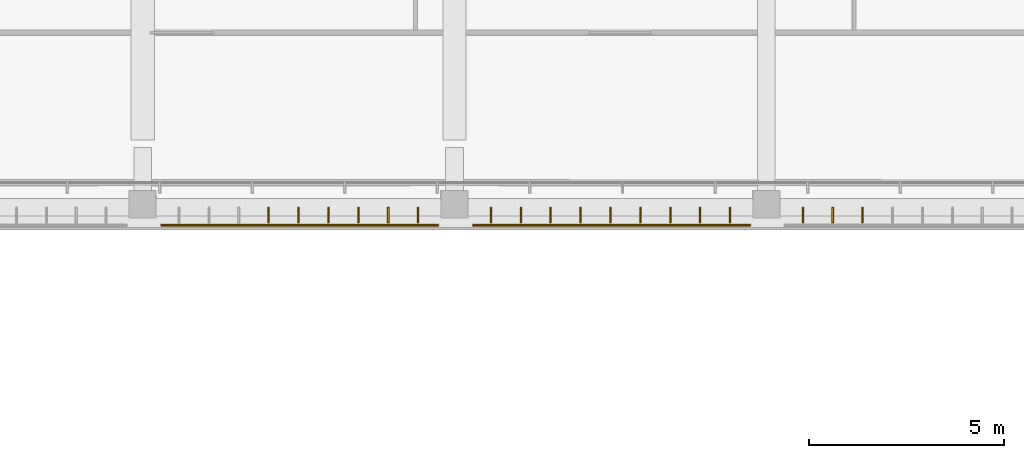
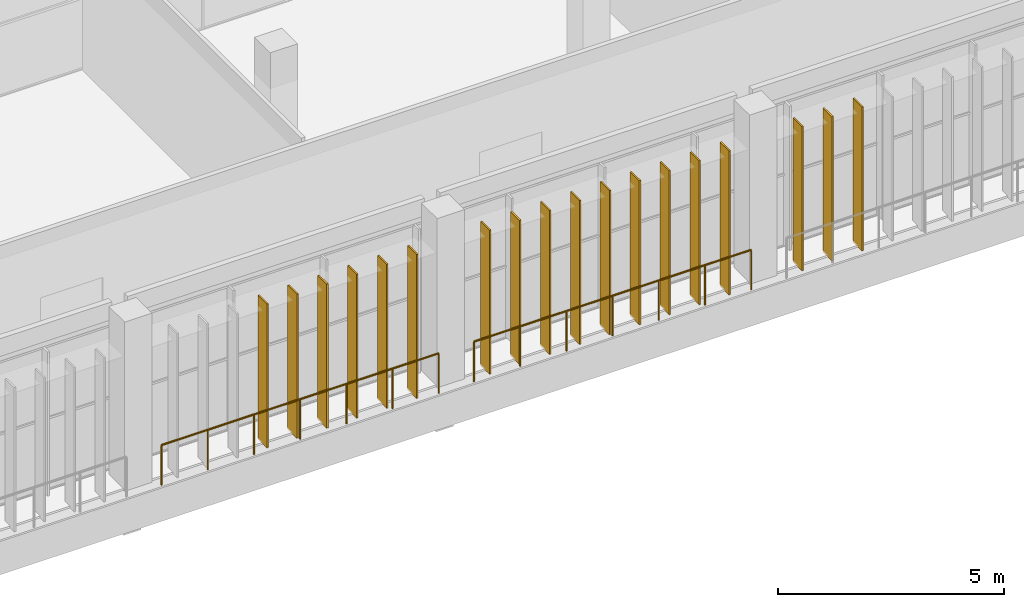
# One storey, part 65 of 73: 18 shading devices, 2 railings.
"""IFC4 building model written with IfcOpenShell, lengths in metres."""

from ifc_helpers import new_model, si_unit, direction, frame, origin, origin_2d, place, context, subcontext, project, spatial, rectangle, circle, extrude, material, layer, layer_set, type_object, element, save


model = new_model("IFC4")

# Units and contexts
model_context = context("Model", 3, precision=1e-05, world=origin(), true_north=direction((0.0, 1.0)))
body_context = subcontext(model_context, "Body", "Model", "MODEL_VIEW")
ifc_project = project(units=[si_unit("LENGTHUNIT", "METRE"), si_unit("AREAUNIT", "SQUARE_METRE"), si_unit("VOLUMEUNIT", "CUBIC_METRE"), si_unit("PLANEANGLEUNIT", "RADIAN"), si_unit("MASSUNIT", "GRAM", prefix="KILO")], contexts=[model_context])

# Site, building, storey
site_placement = place(None, origin())
site = spatial("IfcSite", under=ifc_project, at=site_placement, CompositionType="ELEMENT")
building_placement = place(site_placement, origin())
building = spatial("IfcBuilding", under=site, at=building_placement, Name="Lantern Court Media Centre", CompositionType="ELEMENT")
storey_placement = place(building_placement, frame((0.0, 0.0, 24.0)))
storey = spatial("IfcBuildingStorey", under=building, at=storey_placement, Name="L05", CompositionType="ELEMENT", Elevation=24.0)

# Railings
ifc_material_1 = material(Name="Powder-coated steel", Category="steel")
railing_type = type_object("IfcRailingType", Name="Floor edge guard 1100", PredefinedType="GUARDRAIL", material=ifc_material_1)
for number, where, name in (
    (1, (55.5810546875, 101.06005859375, 0.0), "L05 edge guard 177"),
    (2, (63.5791015625, 101.06005859375, 0.0), "L05 edge guard 181"),
):
    element("IfcRailing", number, at=place(storey_placement, frame(where)), inside=storey, type_object=railing_type, Name=name, PredefinedType="GUARDRAIL", context=body_context, shape_type="SweptSolid", body=[
        extrude(circle(Radius=0.02392578125, at=origin_2d()), frame((0.0, 0.0, 1.076171875), z_axis=(-1.0, 0.0, 0.0), x_axis=(0.0, -1.0, 0.0)), (0.0, 0.0, 1.0), 7.09814453125),
        extrude(circle(Radius=0.02099609375, at=origin_2d()), origin(), (0.0, 0.0, 1.0), 1.052001953125),
        extrude(circle(Radius=0.02099609375, at=origin_2d()), frame((-1.18310546875, 0.0, 0.0)), (0.0, 0.0, 1.0), 1.052001953125),
        extrude(circle(Radius=0.02099609375, at=origin_2d()), frame((-2.365966796875, 0.0, 0.0)), (0.0, 0.0, 1.0), 1.052001953125),
        extrude(circle(Radius=0.02099609375, at=origin_2d()), frame((-3.549072265625, 0.0, 0.0)), (0.0, 0.0, 1.0), 1.052001953125),
        extrude(circle(Radius=0.02099609375, at=origin_2d()), frame((-4.732177734375, 0.0, 0.0)), (0.0, 0.0, 1.0), 1.052001953125),
        extrude(circle(Radius=0.02099609375, at=origin_2d()), frame((-5.9150390625, 0.0, 0.0)), (0.0, 0.0, 1.0), 1.052001953125),
        extrude(circle(Radius=0.02099609375, at=origin_2d()), frame((-7.09814453125, 0.0, 0.0)), (0.0, 0.0, 1.0), 1.052001953125),
    ])

# Shading devices
ifc_material_2 = material(Name="Bronze anodised aluminium louvre", Category="aluminium")
ifc_layer = layer(ifc_material_2, 0.0400390625)
ifc_layer_set = layer_set([ifc_layer], Name="Bronze anodised aluminium louvre")
shading_device_type = type_object("IfcShadingDeviceType", Name="Vertical louvre 40x400 under beam", PredefinedType="USERDEFINED", material=ifc_layer_set)
for number, where, z_axis, x_axis, name in (
    (3, (51.2333984375, 101.320068359375, 0.0), (0.0, 0.0, 1.0), (1.0, 0.0, 0.0), "Vertical louvre N inner L05"),
    (4, (52.0, 101.320068359375, 0.0), (0.0, 0.0, 1.0), (1.0, 0.0, 0.0), "Vertical louvre N inner L05"),
    (5, (52.7666015625, 101.320068359375, 0.0), (0.0, 0.0, 1.0), (1.0, 0.0, 0.0), "Vertical louvre N inner L05"),
    (6, (53.533447265625, 101.320068359375, 0.0), (0.0, 0.0, 1.0), (1.0, 0.0, 0.0), "Vertical louvre N inner L05"),
    (7, (54.300048828125, 101.320068359375, 0.0), (0.0, 0.0, 1.0), (1.0, 0.0, 0.0), "Vertical louvre N inner L05"),
    (8, (55.066650390625, 101.320068359375, 0.0), (0.0, 0.0, 1.0), (1.0, 0.0, 0.0), "Vertical louvre N inner L05"),
    (9, (56.933349609375, 101.320068359375, 0.0), (0.0, 0.0, 1.0), (1.0, 0.0, 0.0), "Vertical louvre N inner L05"),
    (10, (57.699951171875, 101.320068359375, 0.0), (0.0, 0.0, 1.0), (1.0, 0.0, 0.0), "Vertical louvre N inner L05"),
    (11, (58.466552734375, 101.320068359375, 0.0), (0.0, 0.0, 1.0), (1.0, 0.0, 0.0), "Vertical louvre N inner L05"),
    (12, (59.2333984375, 101.320068359375, 0.0), (0.0, 0.0, 1.0), (1.0, 0.0, 0.0), "Vertical louvre N inner L05"),
    (13, (60.0, 101.320068359375, 0.0), (0.0, 0.0, 1.0), (1.0, 0.0, 0.0), "Vertical louvre N inner L05"),
    (14, (60.7666015625, 101.320068359375, 0.0), (0.0, 0.0, 1.0), (1.0, 0.0, 0.0), "Vertical louvre N inner L05"),
    (15, (61.533447265625, 101.320068359375, 0.0), (0.0, 0.0, 1.0), (1.0, 0.0, 0.0), "Vertical louvre N inner L05"),
    (16, (62.300048828125, 101.320068359375, 0.0), (0.0, 0.0, 1.0), (1.0, 0.0, 0.0), "Vertical louvre N inner L05"),
    (17, (63.066650390625, 101.320068359375, 0.0), (0.0, 0.0, 1.0), (1.0, 0.0, 0.0), "Vertical louvre N inner L05"),
    (18, (64.933349609375, 101.320068359375, 0.0), (0.0, 0.0, 1.0), (1.0, 0.0, 0.0), "Vertical louvre N inner L05"),
    (19, (65.699951171875, 101.320068359375, 0.0), (0.0, 0.0, 1.0), (1.0, 0.0, 0.0), "Vertical louvre N inner L05"),
    (20, (66.466552734375, 101.320068359375, 0.0), (0.0, 0.0, 1.0), (1.0, 0.0, 0.0), "Vertical louvre N inner L05"),
):
    element("IfcShadingDevice", number, at=place(storey_placement, frame(where, z_axis=z_axis, x_axis=x_axis)), inside=storey, type_object=shading_device_type, Name=name, ObjectType="VERTICAL LOUVRE", PredefinedType="USERDEFINED", context=body_context, shape_type="SweptSolid", body=[
        extrude(rectangle(XDim=0.0400390625, YDim=0.39990234375, at=origin_2d()), origin(), (0.0, 0.0, 1.0), 3.89990234375),
    ])

save(model, "model.ifc")
